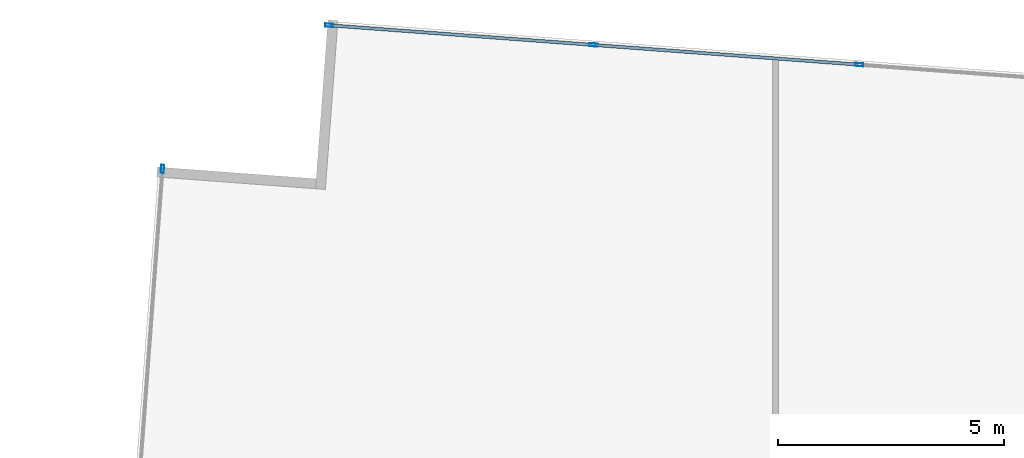
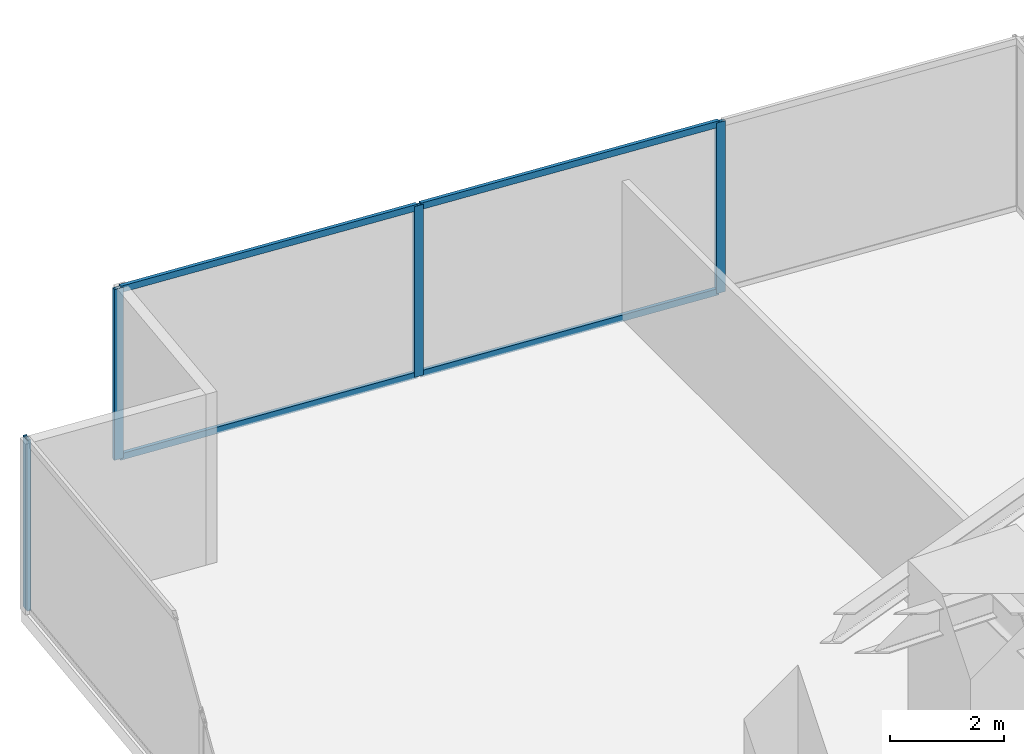
# One storey, part 19 of 30: 8 members, 2 elements without a shape of their own.
"""IFC4 building model written with IfcOpenShell, lengths in metres."""

from ifc_helpers import new_model, si_unit, direction, frame, origin, origin_2d, place, context, subcontext, project, spatial, hollow_rectangle, extrude, source, transform, mapped, material, material_profile, profile_set, type_object, type_shapes, element, aggregate, save


model = new_model("IFC4")

# Units and contexts
model_context = context("Model", 3, precision=1e-05, world=origin(), true_north=direction((0.0, 1.0)))
body_context = subcontext(model_context, "Body", "Model", "MODEL_VIEW")
ifc_project = project(units=[si_unit("LENGTHUNIT", "METRE"), si_unit("AREAUNIT", "SQUARE_METRE"), si_unit("VOLUMEUNIT", "CUBIC_METRE"), si_unit("PLANEANGLEUNIT", "RADIAN"), si_unit("MASSUNIT", "GRAM", prefix="KILO")], contexts=[model_context])

# Site, building, storey
site_placement = place(None, origin())
site = spatial("IfcSite", under=ifc_project, at=site_placement, CompositionType="ELEMENT")
building_placement = place(site_placement, origin())
building = spatial("IfcBuilding", under=site, at=building_placement, Name="Krantzveldt Concourse Tower", CompositionType="ELEMENT")
storey_placement = place(building_placement, frame((0.0, 0.0, 48.699951171875)))
storey = spatial("IfcBuildingStorey", under=building, at=storey_placement, Name="L11", CompositionType="ELEMENT", Elevation=48.699951171875)

# Curtain wall, member
ifc_material = material(Name="Anodised aluminium 6063-T6", Category="aluminium")
curtain_wall_type = type_object("IfcCurtainWallType", Name="CW2", PredefinedType="USERDEFINED", material=ifc_material)
curtain_wall_1_placement = place(storey_placement, origin())
curtain_wall_1 = element("IfcCurtainWall", 1, at=curtain_wall_1_placement, inside=storey, type_object=curtain_wall_type, Name="CW-L11-F01", ObjectType="UNITISED CURTAIN WALL", PredefinedType="USERDEFINED")
ifc_material_profile_1 = material_profile(ifc_material, hollow_rectangle(XDim=0.070068359375, YDim=0.179931640625, WallThickness=0.0048828125, at=origin_2d()), Name="Anodised aluminium 6063-T6", Category="aluminium")
ifc_profile_set_1 = profile_set([ifc_material_profile_1], Name="Anodised aluminium 6063-T6 - ALU-MULL 180x70x5")
member_type_1 = type_object("IfcMemberType", Name="CW-MUL-180", PredefinedType="MULLION", material=ifc_profile_set_1)
shared_shape_1 = source(origin(), body_context, "Body", "SweptSolid", [
    extrude(hollow_rectangle(XDim=0.070068359375, YDim=0.179931640625, WallThickness=0.0048828125, at=origin_2d()), origin(), (0.0, 0.0, 1.0), 3.670166015625),
])
type_shapes(member_type_1, [shared_shape_1])
member_1_placement = place(storey_placement, frame((12.749267578125, 49.951904296875, 0.0), z_axis=(0.0, 0.0, 1.0), x_axis=(0.997250176902, -0.07410860051, 0.0)))
member_1 = element("IfcMember", 2, at=member_1_placement, type_object=member_type_1, Name="CW-Z12 mullion 1", PredefinedType="MULLION", context=body_context, shape_type="MappedRepresentation", body=[
    mapped(shared_shape_1, transform((0.0, 0.0, 0.0), x_axis=(1.0, 0.0, 0.0), y_axis=(0.0, 1.0, 0.0), z_axis=(0.0, 0.0, 1.0), scale=1.0)),
])
aggregate(curtain_wall_1, [member_1])

# Curtain wall, members
curtain_wall_2_placement = place(storey_placement, origin())
curtain_wall_2 = element("IfcCurtainWall", 3, at=curtain_wall_2_placement, inside=storey, type_object=curtain_wall_type, Name="CW-L11-F14", ObjectType="UNITISED CURTAIN WALL", PredefinedType="USERDEFINED")
member_2_placement = place(storey_placement, frame((28.172607421875, 52.26025390625, 0.0), z_axis=(0.0, 0.0, 1.0), x_axis=(-0.074108467464, -0.997250186789, 0.0)))
member_2 = element("IfcMember", 4, at=member_2_placement, type_object=member_type_1, Name="CW-Z12 mullion 2", PredefinedType="MULLION", context=body_context, shape_type="MappedRepresentation", body=[
    mapped(shared_shape_1, transform((0.0, 0.0, 0.0), x_axis=(1.0, 0.0, 0.0), y_axis=(0.0, 1.0, 0.0), z_axis=(0.0, 0.0, 1.0), scale=1.0)),
])
member_3_placement = place(storey_placement, frame((22.288818359375, 52.697509765625, 0.0), z_axis=(0.0, 0.0, 1.0), x_axis=(-0.074108467464, -0.997250186789, 0.0)))
member_3 = element("IfcMember", 5, at=member_3_placement, type_object=member_type_1, Name="CW-Z12 mullion 3", PredefinedType="MULLION", context=body_context, shape_type="MappedRepresentation", body=[
    mapped(shared_shape_1, transform((0.0, 0.0, 0.0), x_axis=(1.0, 0.0, 0.0), y_axis=(0.0, 1.0, 0.0), z_axis=(0.0, 0.0, 1.0), scale=1.0)),
])
member_4_placement = place(storey_placement, frame((16.440185546875, 53.13232421875, 0.0), z_axis=(0.0, 0.0, 1.0), x_axis=(-0.074108467464, -0.997250186789, 0.0)))
member_4 = element("IfcMember", 6, at=member_4_placement, type_object=member_type_1, Name="CW-Z12 mullion 4", PredefinedType="MULLION", context=body_context, shape_type="MappedRepresentation", body=[
    mapped(shared_shape_1, transform((0.0, 0.0, 0.0), x_axis=(1.0, 0.0, 0.0), y_axis=(0.0, 1.0, 0.0), z_axis=(0.0, 0.0, 1.0), scale=1.0)),
])
ifc_material_profile_2 = material_profile(ifc_material, hollow_rectangle(XDim=0.070068359375, YDim=0.139892578125, WallThickness=0.0048828125, at=origin_2d()), Name="Anodised aluminium 6063-T6", Category="aluminium")
ifc_profile_set_2 = profile_set([ifc_material_profile_2], Name="Anodised aluminium 6063-T6 - ALU-TRAN 140x70x5")
member_type_2 = type_object("IfcMemberType", Name="CW-TRN-150", PredefinedType="USERDEFINED", material=ifc_profile_set_2)
shared_shape_2 = source(origin(), body_context, "Body", "SweptSolid", [
    extrude(hollow_rectangle(XDim=0.070068359375, YDim=0.139892578125, WallThickness=0.0048828125, at=origin_2d()), origin(), (0.0, 0.0, 1.0), 5.830078125),
])
member_5_placement = place(storey_placement, frame((28.1376953125, 52.262939453125, 0.03515625), z_axis=(-0.997249212895, 0.074121571631, 0.0), x_axis=(-0.074121571631, -0.997249212895, 0.0)))
member_5 = element("IfcMember", 7, at=member_5_placement, type_object=member_type_2, Name="CW-Z12 transom 2.1", ObjectType="TRANSOM", PredefinedType="USERDEFINED", context=body_context, shape_type="MappedRepresentation", body=[
    mapped(shared_shape_2, transform((0.0, 0.0, 0.0), x_axis=(1.0, 0.0, 0.0), y_axis=(0.0, 1.0, 0.0), z_axis=(0.0, 0.0, 1.0), scale=1.0)),
])
member_6_placement = place(storey_placement, frame((28.1376953125, 52.262939453125, 3.635009765625), z_axis=(-0.997249212895, 0.074121571631, 0.0), x_axis=(-0.074121571631, -0.997249212895, 0.0)))
member_6 = element("IfcMember", 8, at=member_6_placement, type_object=member_type_2, Name="CW-Z12 transom 2.2", ObjectType="TRANSOM", PredefinedType="USERDEFINED", context=body_context, shape_type="MappedRepresentation", body=[
    mapped(shared_shape_2, transform((0.0, 0.0, 0.0), x_axis=(1.0, 0.0, 0.0), y_axis=(0.0, 1.0, 0.0), z_axis=(0.0, 0.0, 1.0), scale=1.0)),
])
shared_shape_3 = source(origin(), body_context, "Body", "SweptSolid", [
    extrude(hollow_rectangle(XDim=0.070068359375, YDim=0.139892578125, WallThickness=0.0048828125, at=origin_2d()), origin(), (0.0, 0.0, 1.0), 5.795166015625),
])
type_shapes(member_type_2, [shared_shape_2, shared_shape_3])
member_7_placement = place(storey_placement, frame((22.254150390625, 52.7001953125, 0.03515625), z_axis=(-0.99725060064, 0.074102898214, 0.0), x_axis=(-0.074102898214, -0.99725060064, 0.0)))
member_7 = element("IfcMember", 9, at=member_7_placement, type_object=member_type_2, Name="CW-Z12 transom 3.1", ObjectType="TRANSOM", PredefinedType="USERDEFINED", context=body_context, shape_type="MappedRepresentation", body=[
    mapped(shared_shape_3, transform((0.0, 0.0, 0.0), x_axis=(1.0, 0.0, 0.0), y_axis=(0.0, 1.0, 0.0), z_axis=(0.0, 0.0, 1.0), scale=1.0)),
])
member_8_placement = place(storey_placement, frame((22.254150390625, 52.7001953125, 3.635009765625), z_axis=(-0.99725060064, 0.074102898214, 0.0), x_axis=(-0.074102898214, -0.99725060064, 0.0)))
member_8 = element("IfcMember", 10, at=member_8_placement, type_object=member_type_2, Name="CW-Z12 transom 3.2", ObjectType="TRANSOM", PredefinedType="USERDEFINED", context=body_context, shape_type="MappedRepresentation", body=[
    mapped(shared_shape_3, transform((0.0, 0.0, 0.0), x_axis=(1.0, 0.0, 0.0), y_axis=(0.0, 1.0, 0.0), z_axis=(0.0, 0.0, 1.0), scale=1.0)),
])
aggregate(curtain_wall_2, [member_2, member_3, member_4, member_5, member_6, member_7, member_8])

save(model, "model.ifc")
